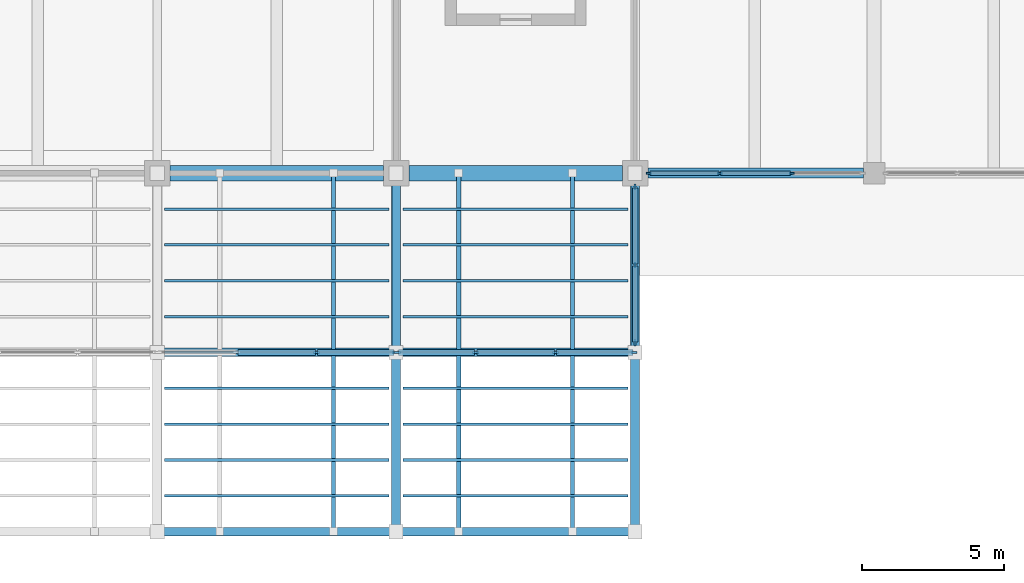
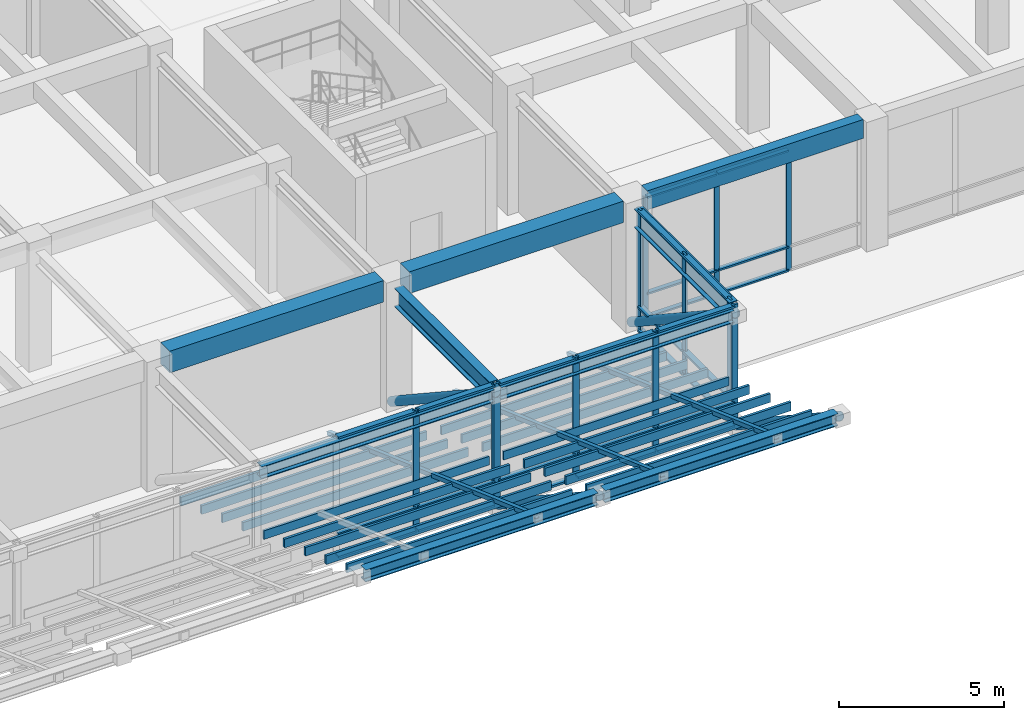
# One storey, part 13 of 52: 64 members, 9 beams, 4 elements without a shape of their own.
"""IFC4 building model written with IfcOpenShell, lengths in metres."""

from ifc_helpers import new_model, si_unit, direction, frame, origin, origin_2d, place, context, subcontext, project, spatial, rectangle, hollow_rectangle, hollow_circle, i_section, extrude, material, material_profile, profile_set, type_object, element, aggregate, save


model = new_model("IFC4")

# Units and contexts
model_context = context("Model", 3, precision=1e-05, world=origin(), true_north=direction((0.0, 1.0)))
body_context = subcontext(model_context, "Body", "Model", "MODEL_VIEW")
ifc_project = project(units=[si_unit("LENGTHUNIT", "METRE"), si_unit("AREAUNIT", "SQUARE_METRE"), si_unit("VOLUMEUNIT", "CUBIC_METRE"), si_unit("PLANEANGLEUNIT", "RADIAN"), si_unit("MASSUNIT", "GRAM", prefix="KILO")], contexts=[model_context])

# Site, building, storey
site_placement = place(None, origin())
site = spatial("IfcSite", under=ifc_project, at=site_placement, CompositionType="ELEMENT")
building_placement = place(site_placement, origin())
building = spatial("IfcBuilding", under=site, at=building_placement, Name="Kenerak Square Central Library", CompositionType="ELEMENT")
storey_placement = place(building_placement, frame((0.0, 0.0, 4.800048828125)))
storey = spatial("IfcBuildingStorey", under=building, at=storey_placement, Name="L01", CompositionType="ELEMENT", Elevation=4.800048828125)

# Members
ifc_material_1 = material(Name="Chengal hardwood timber SG1", Category="wood")
ifc_material_profile_1 = material_profile(ifc_material_1, rectangle(XDim=0.090087890625, YDim=0.320068359375, at=origin_2d()), Name="CHENGAL 90x320")
ifc_profile_set_1 = profile_set([ifc_material_profile_1], Name="Chengal hardwood timber SG1")
member_type_1 = type_object("IfcMemberType", Name="Chengal Timber Louvre Blade CL-01 90x320", PredefinedType="USERDEFINED", material=ifc_profile_set_1)
for number, where, z_axis, x_axis, name in (
    (1, (100.64990234375, 15.5400390625, -0.0849609375), (1.0, 0.0, 0.0), (0.0, 1.0, 0.0), "Chengal Soffit Louvre Blade CL-01 0058"),
    (2, (100.64990234375, 14.280029296875, 0.369873046875), (1.0, 0.0, 0.0), (0.0, 1.0, 0.0), "Chengal Soffit Louvre Blade CL-01 0059"),
    (3, (100.64990234375, 13.02001953125, 0.824951171875), (1.0, 0.0, 0.0), (0.0, 1.0, 0.0), "Chengal Soffit Louvre Blade CL-01 0060"),
    (4, (100.64990234375, 11.760009765625, 1.280029296875), (1.0, 0.0, 0.0), (0.0, 1.0, 0.0), "Chengal Soffit Louvre Blade CL-01 0061"),
    (5, (100.64990234375, 10.5, 1.73486328125), (1.0, 0.0, 0.0), (0.0, 1.0, 0.0), "Chengal Soffit Louvre Blade CL-01 0062"),
    (6, (100.64990234375, 9.239990234375, 2.18994140625), (1.0, 0.0, 0.0), (0.0, 1.0, 0.0), "Chengal Soffit Louvre Blade CL-01 0063"),
    (7, (100.64990234375, 7.97998046875, 2.64501953125), (1.0, 0.0, 0.0), (0.0, 1.0, 0.0), "Chengal Soffit Louvre Blade CL-01 0064"),
    (8, (100.64990234375, 6.719970703125, 3.099853515625), (1.0, 0.0, 0.0), (0.0, 1.0, 0.0), "Chengal Soffit Louvre Blade CL-01 0065"),
    (9, (100.64990234375, 5.4599609375, 3.554931640625), (1.0, 0.0, 0.0), (0.0, 1.0, 0.0), "Chengal Soffit Louvre Blade CL-01 0066"),
):
    element("IfcMember", number, at=place(storey_placement, frame(where, z_axis=z_axis, x_axis=x_axis)), inside=storey, type_object=member_type_1, Name=name, ObjectType="LOUVRE BLADE", PredefinedType="USERDEFINED", context=body_context, shape_type="SweptSolid", body=[
        extrude(rectangle(XDim=0.090087890625, YDim=0.320068359375, at=origin_2d()), origin(), (0.0, 0.0, 1.0), 7.900146484375),
    ])
for number, where, z_axis, x_axis, name in (
    (10, (109.050048828125, 15.5400390625, -0.0849609375), (1.0, 0.0, 0.0), (0.0, 1.0, 0.0), "Chengal Soffit Louvre Blade CL-01 0069"),
    (11, (109.050048828125, 14.280029296875, 0.369873046875), (1.0, 0.0, 0.0), (0.0, 1.0, 0.0), "Chengal Soffit Louvre Blade CL-01 0070"),
    (12, (109.050048828125, 13.02001953125, 0.824951171875), (1.0, 0.0, 0.0), (0.0, 1.0, 0.0), "Chengal Soffit Louvre Blade CL-01 0071"),
    (13, (109.050048828125, 11.760009765625, 1.280029296875), (1.0, 0.0, 0.0), (0.0, 1.0, 0.0), "Chengal Soffit Louvre Blade CL-01 0072"),
    (14, (109.050048828125, 10.5, 1.73486328125), (1.0, 0.0, 0.0), (0.0, 1.0, 0.0), "Chengal Soffit Louvre Blade CL-01 0073"),
    (15, (109.050048828125, 9.239990234375, 2.18994140625), (1.0, 0.0, 0.0), (0.0, 1.0, 0.0), "Chengal Soffit Louvre Blade CL-01 0074"),
    (16, (109.050048828125, 7.97998046875, 2.64501953125), (1.0, 0.0, 0.0), (0.0, 1.0, 0.0), "Chengal Soffit Louvre Blade CL-01 0075"),
    (17, (109.050048828125, 6.719970703125, 3.099853515625), (1.0, 0.0, 0.0), (0.0, 1.0, 0.0), "Chengal Soffit Louvre Blade CL-01 0076"),
    (18, (109.050048828125, 5.4599609375, 3.554931640625), (1.0, 0.0, 0.0), (0.0, 1.0, 0.0), "Chengal Soffit Louvre Blade CL-01 0077"),
):
    element("IfcMember", number, at=place(storey_placement, frame(where, z_axis=z_axis, x_axis=x_axis)), inside=storey, type_object=member_type_1, Name=name, ObjectType="LOUVRE BLADE", PredefinedType="USERDEFINED", context=body_context, shape_type="SweptSolid", body=[
        extrude(rectangle(XDim=0.090087890625, YDim=0.320068359375, at=origin_2d()), origin(), (0.0, 0.0, 1.0), 7.89990234375),
    ])

# Curtain wall, members
ifc_material_2 = material(Name="Anodised aluminium and solar-control low-E glazing", Category="aluminium")
curtain_wall_type_1 = type_object("IfcCurtainWallType", Name="Curtain Wall CW-V6-75x45 7575x4500", PredefinedType="USERDEFINED", material=ifc_material_2)
curtain_wall_1_placement = place(storey_placement, origin())
curtain_wall_1 = element("IfcCurtainWall", 19, at=curtain_wall_1_placement, inside=storey, type_object=curtain_wall_type_1, Name="Curtain Wall CW-V6-75x45 L01 0046", ObjectType="CURTAIN WALL", PredefinedType="USERDEFINED")
ifc_material_3 = material(Name="Anodised aluminium 6063-T6", Category="aluminium")
ifc_material_profile_2 = material_profile(ifc_material_3, rectangle(XDim=0.06494140625, YDim=0.179931640625, at=origin_2d()), Name="AL MULLION 65x180")
ifc_profile_set_2 = profile_set([ifc_material_profile_2], Name="Anodised aluminium 6063-T6")
member_type_2 = type_object("IfcMemberType", Name="Curtain Mullion CM-01 65x180", PredefinedType="MULLION", material=ifc_profile_set_2)
member_1_placement = place(storey_placement, frame((122.699951171875, 16.800048828125, 0.0), z_axis=(0.0, 0.0, 1.0), x_axis=(0.0, -1.0, 0.0)))
member_1 = element("IfcMember", 20, at=member_1_placement, type_object=member_type_2, Name="CW-V6-75x45 Mullion 2", PredefinedType="MULLION", context=body_context, shape_type="SweptSolid", body=[
    extrude(rectangle(XDim=0.06494140625, YDim=0.179931640625, at=origin_2d()), origin(), (0.0, 0.0, 1.0), 4.5),
])
member_2_placement = place(storey_placement, frame((120.175048828125, 16.800048828125, 0.0), z_axis=(0.0, 0.0, 1.0), x_axis=(0.0, -1.0, 0.0)))
member_2 = element("IfcMember", 21, at=member_2_placement, type_object=member_type_2, Name="CW-V6-75x45 Mullion 3", PredefinedType="MULLION", context=body_context, shape_type="SweptSolid", body=[
    extrude(rectangle(XDim=0.06494140625, YDim=0.179931640625, at=origin_2d()), origin(), (0.0, 0.0, 1.0), 4.5),
])
member_3_placement = place(storey_placement, frame((117.6826171875, 16.800048828125, 0.0), z_axis=(0.0, 0.0, 1.0), x_axis=(0.0, -1.0, 0.0)))
member_3 = element("IfcMember", 22, at=member_3_placement, type_object=member_type_2, Name="CW-V6-75x45 Mullion 4", PredefinedType="MULLION", context=body_context, shape_type="SweptSolid", body=[
    extrude(rectangle(XDim=0.06494140625, YDim=0.179931640625, at=origin_2d()), origin(), (0.0, 0.0, 1.0), 4.5),
])

curtain_wall_type_2 = type_object("IfcCurtainWallType", Name="Curtain Wall CW-V1-55x45 5550x4500", PredefinedType="USERDEFINED", material=ifc_material_2)
curtain_wall_2_placement = place(storey_placement, origin())
curtain_wall_2 = element("IfcCurtainWall", 23, at=curtain_wall_2_placement, inside=storey, type_object=curtain_wall_type_2, Name="Curtain Wall CW-V1-55x45 L01 0047", ObjectType="CURTAIN WALL", PredefinedType="USERDEFINED")
ifc_material_profile_3 = material_profile(ifc_material_3, rectangle(XDim=0.074951171875, YDim=0.219970703125, at=origin_2d()), Name="AL MULLION 75x220")
ifc_profile_set_3 = profile_set([ifc_material_profile_3], Name="Anodised aluminium 6063-T6")
member_type_3 = type_object("IfcMemberType", Name="Curtain Mullion CM-02 75x220", PredefinedType="MULLION", material=ifc_profile_set_3)
member_4_placement = place(storey_placement, frame((117.199951171875, 16.3125, 0.0), z_axis=(0.0, 0.0, 1.0), x_axis=(1.0, 0.0, 0.0)))
member_4 = element("IfcMember", 24, at=member_4_placement, type_object=member_type_3, Name="CW-V1-55x45 Mullion 1", PredefinedType="MULLION", context=body_context, shape_type="SweptSolid", body=[
    extrude(rectangle(XDim=0.074951171875, YDim=0.219970703125, at=origin_2d()), origin(), (0.0, 0.0, 1.0), 4.5),
])
member_5_placement = place(storey_placement, frame((117.199951171875, 13.574951171875, 0.0), z_axis=(0.0, 0.0, 1.0), x_axis=(1.0, 0.0, 0.0)))
member_5 = element("IfcMember", 25, at=member_5_placement, type_object=member_type_3, Name="CW-V1-55x45 Mullion 2", PredefinedType="MULLION", context=body_context, shape_type="SweptSolid", body=[
    extrude(rectangle(XDim=0.074951171875, YDim=0.219970703125, at=origin_2d()), origin(), (0.0, 0.0, 1.0), 4.5),
])
member_6_placement = place(storey_placement, frame((117.199951171875, 10.83740234375, 0.0), z_axis=(0.0, 0.0, 1.0), x_axis=(1.0, 0.0, 0.0)))
member_6 = element("IfcMember", 26, at=member_6_placement, type_object=member_type_3, Name="CW-V1-55x45 Mullion 3", PredefinedType="MULLION", context=body_context, shape_type="SweptSolid", body=[
    extrude(rectangle(XDim=0.074951171875, YDim=0.219970703125, at=origin_2d()), origin(), (0.0, 0.0, 1.0), 4.5),
])

curtain_wall_type_3 = type_object("IfcCurtainWallType", Name="Curtain Wall CW-V1-84x45 8400x4500", PredefinedType="USERDEFINED", material=ifc_material_2)
curtain_wall_3_placement = place(storey_placement, origin())
curtain_wall_3 = element("IfcCurtainWall", 27, at=curtain_wall_3_placement, inside=storey, type_object=curtain_wall_type_3, Name="Curtain Wall CW-V1-84x45 L01 0048", ObjectType="CURTAIN WALL", PredefinedType="USERDEFINED")
member_7_placement = place(storey_placement, frame((117.16259765625, 10.5, 0.0), z_axis=(0.0, 0.0, 1.0), x_axis=(0.0, -1.0, 0.0)))
member_7 = element("IfcMember", 28, at=member_7_placement, type_object=member_type_3, Name="CW-V1-84x45 Mullion 1", PredefinedType="MULLION", context=body_context, shape_type="SweptSolid", body=[
    extrude(rectangle(XDim=0.074951171875, YDim=0.219970703125, at=origin_2d()), origin(), (0.0, 0.0, 1.0), 4.5),
])
member_8_placement = place(storey_placement, frame((114.39990234375, 10.5, 0.0), z_axis=(0.0, 0.0, 1.0), x_axis=(0.0, -1.0, 0.0)))
member_8 = element("IfcMember", 29, at=member_8_placement, type_object=member_type_3, Name="CW-V1-84x45 Mullion 2", PredefinedType="MULLION", context=body_context, shape_type="SweptSolid", body=[
    extrude(rectangle(XDim=0.074951171875, YDim=0.219970703125, at=origin_2d()), origin(), (0.0, 0.0, 1.0), 4.5),
])
member_9_placement = place(storey_placement, frame((111.60009765625, 10.5, 0.0), z_axis=(0.0, 0.0, 1.0), x_axis=(0.0, -1.0, 0.0)))
member_9 = element("IfcMember", 30, at=member_9_placement, type_object=member_type_3, Name="CW-V1-84x45 Mullion 3", PredefinedType="MULLION", context=body_context, shape_type="SweptSolid", body=[
    extrude(rectangle(XDim=0.074951171875, YDim=0.219970703125, at=origin_2d()), origin(), (0.0, 0.0, 1.0), 4.5),
])
member_10_placement = place(storey_placement, frame((108.83740234375, 10.5, 0.0), z_axis=(0.0, 0.0, 1.0), x_axis=(0.0, -1.0, 0.0)))
member_10 = element("IfcMember", 31, at=member_10_placement, type_object=member_type_3, Name="CW-V1-84x45 Mullion 4", PredefinedType="MULLION", context=body_context, shape_type="SweptSolid", body=[
    extrude(rectangle(XDim=0.074951171875, YDim=0.219970703125, at=origin_2d()), origin(), (0.0, 0.0, 1.0), 4.5),
])

curtain_wall_4_placement = place(storey_placement, origin())
curtain_wall_4 = element("IfcCurtainWall", 32, at=curtain_wall_4_placement, inside=storey, type_object=curtain_wall_type_3, Name="Curtain Wall CW-V1-84x45 L01 0049", ObjectType="CURTAIN WALL", PredefinedType="USERDEFINED")
member_11_placement = place(storey_placement, frame((108.762451171875, 10.5, 0.0), z_axis=(0.0, 0.0, 1.0), x_axis=(0.0, -1.0, 0.0)))
member_11 = element("IfcMember", 33, at=member_11_placement, type_object=member_type_3, Name="CW-V1-84x45 Mullion 1", PredefinedType="MULLION", context=body_context, shape_type="SweptSolid", body=[
    extrude(rectangle(XDim=0.074951171875, YDim=0.219970703125, at=origin_2d()), origin(), (0.0, 0.0, 1.0), 4.5),
])
member_12_placement = place(storey_placement, frame((106.0, 10.5, 0.0), z_axis=(0.0, 0.0, 1.0), x_axis=(0.0, -1.0, 0.0)))
member_12 = element("IfcMember", 34, at=member_12_placement, type_object=member_type_3, Name="CW-V1-84x45 Mullion 2", PredefinedType="MULLION", context=body_context, shape_type="SweptSolid", body=[
    extrude(rectangle(XDim=0.074951171875, YDim=0.219970703125, at=origin_2d()), origin(), (0.0, 0.0, 1.0), 4.5),
])

# Member
ifc_material_profile_4 = material_profile(ifc_material_3, rectangle(XDim=0.159912109375, YDim=0.06494140625, at=origin_2d()), Name="AL TRANSOM 160x65")
ifc_profile_set_4 = profile_set([ifc_material_profile_4], Name="Anodised aluminium 6063-T6")
member_type_4 = type_object("IfcMemberType", Name="Curtain Transom CT-11 160x65", PredefinedType="USERDEFINED", material=ifc_profile_set_4)
member_13_placement = place(storey_placement, frame((122.66748046875, 16.800048828125, 0.032470703125), z_axis=(-1.0, 0.0, 0.0), x_axis=(0.0, -1.0, 0.0)))
member_13 = element("IfcMember", 35, at=member_13_placement, type_object=member_type_4, Name="CW-V6-75x45 Transom 2.1", ObjectType="TRANSOM", PredefinedType="USERDEFINED", context=body_context, shape_type="SweptSolid", body=[
    extrude(rectangle(XDim=0.159912109375, YDim=0.06494140625, at=origin_2d()), origin(), (0.0, 0.0, 1.0), 2.4599609375),
])

member_14_placement = place(storey_placement, frame((122.66748046875, 16.800048828125, 0.89990234375), z_axis=(-1.0, 0.0, 0.0), x_axis=(0.0, -1.0, 0.0)))
member_14 = element("IfcMember", 36, at=member_14_placement, type_object=member_type_4, Name="CW-V6-75x45 Transom 2.2", ObjectType="TRANSOM", PredefinedType="USERDEFINED", context=body_context, shape_type="SweptSolid", body=[
    extrude(rectangle(XDim=0.159912109375, YDim=0.06494140625, at=origin_2d()), origin(), (0.0, 0.0, 1.0), 2.4599609375),
])

member_15_placement = place(storey_placement, frame((122.66748046875, 16.800048828125, 4.467529296875), z_axis=(-1.0, 0.0, 0.0), x_axis=(0.0, -1.0, 0.0)))
member_15 = element("IfcMember", 37, at=member_15_placement, type_object=member_type_4, Name="CW-V6-75x45 Transom 2.3", ObjectType="TRANSOM", PredefinedType="USERDEFINED", context=body_context, shape_type="SweptSolid", body=[
    extrude(rectangle(XDim=0.159912109375, YDim=0.06494140625, at=origin_2d()), origin(), (0.0, 0.0, 1.0), 2.4599609375),
])

member_16_placement = place(storey_placement, frame((120.142578125, 16.800048828125, 0.032470703125), z_axis=(-1.0, 0.0, 0.0), x_axis=(0.0, -1.0, 0.0)))
member_16 = element("IfcMember", 38, at=member_16_placement, type_object=member_type_4, Name="CW-V6-75x45 Transom 3.1", ObjectType="TRANSOM", PredefinedType="USERDEFINED", context=body_context, shape_type="SweptSolid", body=[
    extrude(rectangle(XDim=0.159912109375, YDim=0.06494140625, at=origin_2d()), origin(), (0.0, 0.0, 1.0), 2.427490234375),
])

member_17_placement = place(storey_placement, frame((120.142578125, 16.800048828125, 0.89990234375), z_axis=(-1.0, 0.0, 0.0), x_axis=(0.0, -1.0, 0.0)))
member_17 = element("IfcMember", 39, at=member_17_placement, type_object=member_type_4, Name="CW-V6-75x45 Transom 3.2", ObjectType="TRANSOM", PredefinedType="USERDEFINED", context=body_context, shape_type="SweptSolid", body=[
    extrude(rectangle(XDim=0.159912109375, YDim=0.06494140625, at=origin_2d()), origin(), (0.0, 0.0, 1.0), 2.427490234375),
])

member_18_placement = place(storey_placement, frame((120.142578125, 16.800048828125, 4.467529296875), z_axis=(-1.0, 0.0, 0.0), x_axis=(0.0, -1.0, 0.0)))
member_18 = element("IfcMember", 40, at=member_18_placement, type_object=member_type_4, Name="CW-V6-75x45 Transom 3.3", ObjectType="TRANSOM", PredefinedType="USERDEFINED", context=body_context, shape_type="SweptSolid", body=[
    extrude(rectangle(XDim=0.159912109375, YDim=0.06494140625, at=origin_2d()), origin(), (0.0, 0.0, 1.0), 2.427490234375),
])

aggregate(curtain_wall_1, [member_1, member_2, member_3, member_13, member_14, member_15, member_16, member_17, member_18])

ifc_material_profile_5 = material_profile(ifc_material_3, rectangle(XDim=0.199951171875, YDim=0.074951171875, at=origin_2d()), Name="AL TRANSOM 200x75")
ifc_profile_set_5 = profile_set([ifc_material_profile_5], Name="Anodised aluminium 6063-T6")
member_type_5 = type_object("IfcMemberType", Name="Curtain Transom CT-12 200x75", PredefinedType="USERDEFINED", material=ifc_profile_set_5)
member_19_placement = place(storey_placement, frame((117.199951171875, 16.27490234375, 0.037353515625), z_axis=(0.0, -1.0, 0.0), x_axis=(1.0, 0.0, 0.0)))
member_19 = element("IfcMember", 41, at=member_19_placement, type_object=member_type_5, Name="CW-V1-55x45 Transom 1.1", ObjectType="TRANSOM", PredefinedType="USERDEFINED", context=body_context, shape_type="SweptSolid", body=[
    extrude(rectangle(XDim=0.199951171875, YDim=0.074951171875, at=origin_2d()), origin(), (0.0, 0.0, 1.0), 2.662353515625),
])

member_20_placement = place(storey_placement, frame((117.199951171875, 16.27490234375, 0.89990234375), z_axis=(0.0, -1.0, 0.0), x_axis=(1.0, 0.0, 0.0)))
member_20 = element("IfcMember", 42, at=member_20_placement, type_object=member_type_5, Name="CW-V1-55x45 Transom 1.2", ObjectType="TRANSOM", PredefinedType="USERDEFINED", context=body_context, shape_type="SweptSolid", body=[
    extrude(rectangle(XDim=0.199951171875, YDim=0.074951171875, at=origin_2d()), origin(), (0.0, 0.0, 1.0), 2.662353515625),
])

member_21_placement = place(storey_placement, frame((117.199951171875, 16.27490234375, 4.46240234375), z_axis=(0.0, -1.0, 0.0), x_axis=(1.0, 0.0, 0.0)))
member_21 = element("IfcMember", 43, at=member_21_placement, type_object=member_type_5, Name="CW-V1-55x45 Transom 1.3", ObjectType="TRANSOM", PredefinedType="USERDEFINED", context=body_context, shape_type="SweptSolid", body=[
    extrude(rectangle(XDim=0.199951171875, YDim=0.074951171875, at=origin_2d()), origin(), (0.0, 0.0, 1.0), 2.662353515625),
])

member_22_placement = place(storey_placement, frame((117.199951171875, 13.53759765625, 0.037353515625), z_axis=(0.0, -1.0, 0.0), x_axis=(1.0, 0.0, 0.0)))
member_22 = element("IfcMember", 44, at=member_22_placement, type_object=member_type_5, Name="CW-V1-55x45 Transom 2.1", ObjectType="TRANSOM", PredefinedType="USERDEFINED", context=body_context, shape_type="SweptSolid", body=[
    extrude(rectangle(XDim=0.199951171875, YDim=0.074951171875, at=origin_2d()), origin(), (0.0, 0.0, 1.0), 2.66259765625),
])

member_23_placement = place(storey_placement, frame((117.199951171875, 13.53759765625, 0.89990234375), z_axis=(0.0, -1.0, 0.0), x_axis=(1.0, 0.0, 0.0)))
member_23 = element("IfcMember", 45, at=member_23_placement, type_object=member_type_5, Name="CW-V1-55x45 Transom 2.2", ObjectType="TRANSOM", PredefinedType="USERDEFINED", context=body_context, shape_type="SweptSolid", body=[
    extrude(rectangle(XDim=0.199951171875, YDim=0.074951171875, at=origin_2d()), origin(), (0.0, 0.0, 1.0), 2.66259765625),
])

member_24_placement = place(storey_placement, frame((117.199951171875, 13.53759765625, 4.46240234375), z_axis=(0.0, -1.0, 0.0), x_axis=(1.0, 0.0, 0.0)))
member_24 = element("IfcMember", 46, at=member_24_placement, type_object=member_type_5, Name="CW-V1-55x45 Transom 2.3", ObjectType="TRANSOM", PredefinedType="USERDEFINED", context=body_context, shape_type="SweptSolid", body=[
    extrude(rectangle(XDim=0.199951171875, YDim=0.074951171875, at=origin_2d()), origin(), (0.0, 0.0, 1.0), 2.66259765625),
])

aggregate(curtain_wall_2, [member_4, member_5, member_6, member_19, member_20, member_21, member_22, member_23, member_24])

member_25_placement = place(storey_placement, frame((117.125, 10.5, 0.037353515625), z_axis=(-1.0, 0.0, 0.0), x_axis=(0.0, -1.0, 0.0)))
member_25 = element("IfcMember", 47, at=member_25_placement, type_object=member_type_5, Name="CW-V1-84x45 Transom 1.1", ObjectType="TRANSOM", PredefinedType="USERDEFINED", context=body_context, shape_type="SweptSolid", body=[
    extrude(rectangle(XDim=0.199951171875, YDim=0.074951171875, at=origin_2d()), origin(), (0.0, 0.0, 1.0), 2.6875),
])

member_26_placement = place(storey_placement, frame((117.125, 10.5, 0.89990234375), z_axis=(-1.0, 0.0, 0.0), x_axis=(0.0, -1.0, 0.0)))
member_26 = element("IfcMember", 48, at=member_26_placement, type_object=member_type_5, Name="CW-V1-84x45 Transom 1.2", ObjectType="TRANSOM", PredefinedType="USERDEFINED", context=body_context, shape_type="SweptSolid", body=[
    extrude(rectangle(XDim=0.199951171875, YDim=0.074951171875, at=origin_2d()), origin(), (0.0, 0.0, 1.0), 2.6875),
])

member_27_placement = place(storey_placement, frame((117.125, 10.5, 4.46240234375), z_axis=(-1.0, 0.0, 0.0), x_axis=(0.0, -1.0, 0.0)))
member_27 = element("IfcMember", 49, at=member_27_placement, type_object=member_type_5, Name="CW-V1-84x45 Transom 1.3", ObjectType="TRANSOM", PredefinedType="USERDEFINED", context=body_context, shape_type="SweptSolid", body=[
    extrude(rectangle(XDim=0.199951171875, YDim=0.074951171875, at=origin_2d()), origin(), (0.0, 0.0, 1.0), 2.6875),
])

member_28_placement = place(storey_placement, frame((114.362548828125, 10.5, 0.037353515625), z_axis=(-1.0, 0.0, 0.0), x_axis=(0.0, -1.0, 0.0)))
member_28 = element("IfcMember", 50, at=member_28_placement, type_object=member_type_5, Name="CW-V1-84x45 Transom 2.1", ObjectType="TRANSOM", PredefinedType="USERDEFINED", context=body_context, shape_type="SweptSolid", body=[
    extrude(rectangle(XDim=0.199951171875, YDim=0.074951171875, at=origin_2d()), origin(), (0.0, 0.0, 1.0), 2.72509765625),
])

member_29_placement = place(storey_placement, frame((114.362548828125, 10.5, 0.89990234375), z_axis=(-1.0, 0.0, 0.0), x_axis=(0.0, -1.0, 0.0)))
member_29 = element("IfcMember", 51, at=member_29_placement, type_object=member_type_5, Name="CW-V1-84x45 Transom 2.2", ObjectType="TRANSOM", PredefinedType="USERDEFINED", context=body_context, shape_type="SweptSolid", body=[
    extrude(rectangle(XDim=0.199951171875, YDim=0.074951171875, at=origin_2d()), origin(), (0.0, 0.0, 1.0), 2.72509765625),
])

member_30_placement = place(storey_placement, frame((114.362548828125, 10.5, 4.46240234375), z_axis=(-1.0, 0.0, 0.0), x_axis=(0.0, -1.0, 0.0)))
member_30 = element("IfcMember", 52, at=member_30_placement, type_object=member_type_5, Name="CW-V1-84x45 Transom 2.3", ObjectType="TRANSOM", PredefinedType="USERDEFINED", context=body_context, shape_type="SweptSolid", body=[
    extrude(rectangle(XDim=0.199951171875, YDim=0.074951171875, at=origin_2d()), origin(), (0.0, 0.0, 1.0), 2.72509765625),
])

member_31_placement = place(storey_placement, frame((111.5625, 10.5, 0.037353515625), z_axis=(-1.0, 0.0, 0.0), x_axis=(0.0, -1.0, 0.0)))
member_31 = element("IfcMember", 53, at=member_31_placement, type_object=member_type_5, Name="CW-V1-84x45 Transom 3.1", ObjectType="TRANSOM", PredefinedType="USERDEFINED", context=body_context, shape_type="SweptSolid", body=[
    extrude(rectangle(XDim=0.199951171875, YDim=0.074951171875, at=origin_2d()), origin(), (0.0, 0.0, 1.0), 2.6875),
])

member_32_placement = place(storey_placement, frame((111.5625, 10.5, 0.89990234375), z_axis=(-1.0, 0.0, 0.0), x_axis=(0.0, -1.0, 0.0)))
member_32 = element("IfcMember", 54, at=member_32_placement, type_object=member_type_5, Name="CW-V1-84x45 Transom 3.2", ObjectType="TRANSOM", PredefinedType="USERDEFINED", context=body_context, shape_type="SweptSolid", body=[
    extrude(rectangle(XDim=0.199951171875, YDim=0.074951171875, at=origin_2d()), origin(), (0.0, 0.0, 1.0), 2.6875),
])

member_33_placement = place(storey_placement, frame((111.5625, 10.5, 4.46240234375), z_axis=(-1.0, 0.0, 0.0), x_axis=(0.0, -1.0, 0.0)))
member_33 = element("IfcMember", 55, at=member_33_placement, type_object=member_type_5, Name="CW-V1-84x45 Transom 3.3", ObjectType="TRANSOM", PredefinedType="USERDEFINED", context=body_context, shape_type="SweptSolid", body=[
    extrude(rectangle(XDim=0.199951171875, YDim=0.074951171875, at=origin_2d()), origin(), (0.0, 0.0, 1.0), 2.6875),
])

aggregate(curtain_wall_3, [member_7, member_8, member_9, member_10, member_25, member_26, member_27, member_28, member_29, member_30, member_31, member_32, member_33])

member_34_placement = place(storey_placement, frame((108.72509765625, 10.5, 0.037353515625), z_axis=(-1.0, 0.0, 0.0), x_axis=(0.0, -1.0, 0.0)))
member_34 = element("IfcMember", 56, at=member_34_placement, type_object=member_type_5, Name="CW-V1-84x45 Transom 1.1", ObjectType="TRANSOM", PredefinedType="USERDEFINED", context=body_context, shape_type="SweptSolid", body=[
    extrude(rectangle(XDim=0.199951171875, YDim=0.074951171875, at=origin_2d()), origin(), (0.0, 0.0, 1.0), 2.6875),
])

member_35_placement = place(storey_placement, frame((108.72509765625, 10.5, 0.89990234375), z_axis=(-1.0, 0.0, 0.0), x_axis=(0.0, -1.0, 0.0)))
member_35 = element("IfcMember", 57, at=member_35_placement, type_object=member_type_5, Name="CW-V1-84x45 Transom 1.2", ObjectType="TRANSOM", PredefinedType="USERDEFINED", context=body_context, shape_type="SweptSolid", body=[
    extrude(rectangle(XDim=0.199951171875, YDim=0.074951171875, at=origin_2d()), origin(), (0.0, 0.0, 1.0), 2.6875),
])

member_36_placement = place(storey_placement, frame((108.72509765625, 10.5, 4.46240234375), z_axis=(-1.0, 0.0, 0.0), x_axis=(0.0, -1.0, 0.0)))
member_36 = element("IfcMember", 58, at=member_36_placement, type_object=member_type_5, Name="CW-V1-84x45 Transom 1.3", ObjectType="TRANSOM", PredefinedType="USERDEFINED", context=body_context, shape_type="SweptSolid", body=[
    extrude(rectangle(XDim=0.199951171875, YDim=0.074951171875, at=origin_2d()), origin(), (0.0, 0.0, 1.0), 2.6875),
])

member_37_placement = place(storey_placement, frame((105.96240234375, 10.5, 0.037353515625), z_axis=(-1.0, 0.0, 0.0), x_axis=(0.0, -1.0, 0.0)))
member_37 = element("IfcMember", 59, at=member_37_placement, type_object=member_type_5, Name="CW-V1-84x45 Transom 2.1", ObjectType="TRANSOM", PredefinedType="USERDEFINED", context=body_context, shape_type="SweptSolid", body=[
    extrude(rectangle(XDim=0.199951171875, YDim=0.074951171875, at=origin_2d()), origin(), (0.0, 0.0, 1.0), 2.724853515625),
])

member_38_placement = place(storey_placement, frame((105.96240234375, 10.5, 0.89990234375), z_axis=(-1.0, 0.0, 0.0), x_axis=(0.0, -1.0, 0.0)))
member_38 = element("IfcMember", 60, at=member_38_placement, type_object=member_type_5, Name="CW-V1-84x45 Transom 2.2", ObjectType="TRANSOM", PredefinedType="USERDEFINED", context=body_context, shape_type="SweptSolid", body=[
    extrude(rectangle(XDim=0.199951171875, YDim=0.074951171875, at=origin_2d()), origin(), (0.0, 0.0, 1.0), 2.724853515625),
])

member_39_placement = place(storey_placement, frame((105.96240234375, 10.5, 4.46240234375), z_axis=(-1.0, 0.0, 0.0), x_axis=(0.0, -1.0, 0.0)))
member_39 = element("IfcMember", 61, at=member_39_placement, type_object=member_type_5, Name="CW-V1-84x45 Transom 2.3", ObjectType="TRANSOM", PredefinedType="USERDEFINED", context=body_context, shape_type="SweptSolid", body=[
    extrude(rectangle(XDim=0.199951171875, YDim=0.074951171875, at=origin_2d()), origin(), (0.0, 0.0, 1.0), 2.724853515625),
])

aggregate(curtain_wall_4, [member_11, member_12, member_34, member_35, member_36, member_37, member_38, member_39])

# Beams
ifc_material_4 = material(Name="Concrete C40/50", Category="concrete")
ifc_material_profile_6 = material_profile(ifc_material_4, rectangle(XDim=0.35009765625, YDim=0.699951171875, at=origin_2d()), Name="RC 350x700")
ifc_profile_set_6 = profile_set([ifc_material_profile_6], Name="Concrete C40/50")
beam_type_1 = type_object("IfcBeamType", Name="Expressed Spandrel Beam SP-01 RC 350x700 C40/50", PredefinedType="SPANDREL", material=ifc_profile_set_6)
beam_1_placement = place(storey_placement, frame((117.64990234375, 16.800048828125, 4.449951171875), z_axis=(1.0, 0.0, 0.0), x_axis=(0.0, 1.0, 0.0)))
element("IfcBeam", 62, at=beam_1_placement, inside=storey, type_object=beam_type_1, Name="Beam SP-01 L01 0868", PredefinedType="SPANDREL", context=body_context, shape_type="SweptSolid", body=[
    extrude(rectangle(XDim=0.35009765625, YDim=0.699951171875, at=origin_2d()), origin(), (0.0, 0.0, 1.0), 7.5751953125),
])
ifc_material_5 = material(Name="Steel S355", Category="steel")
ifc_material_profile_7 = material_profile(ifc_material_5, i_section(OverallWidth=0.300048828125, OverallDepth=0.449951171875, WebThickness=0.013916015625, FlangeThickness=0.02587890625, FilletRadius=0.027099609375, at=origin_2d()), Name="HEB 450")
ifc_profile_set_7 = profile_set([ifc_material_profile_7], Name="Steel S355")
beam_type_2 = type_object("IfcBeamType", Name="Overhang Cross Girder SB-04 HEB 450 S355", PredefinedType="BEAM", material=ifc_profile_set_7)
beam_2_placement = place(storey_placement, frame((100.52001953125, 4.199951171875, 4.14990234375), z_axis=(1.0, 0.0, 0.0), x_axis=(0.0, 1.0, 0.0)))
element("IfcBeam", 63, at=beam_2_placement, inside=storey, type_object=beam_type_2, Name="Overhang Cross Girder SB-04 L01 1710", PredefinedType="BEAM", context=body_context, shape_type="SweptSolid", body=[
    extrude(i_section(OverallWidth=0.300048828125, OverallDepth=0.449951171875, WebThickness=0.013916015625, FlangeThickness=0.02587890625, FilletRadius=0.027099609375, at=origin_2d()), origin(), (0.0, 0.0, 1.0), 8.159912109375),
])
beam_3_placement = place(storey_placement, frame((108.919921875, 4.199951171875, 4.14990234375), z_axis=(1.0, 0.0, 0.0), x_axis=(0.0, 1.0, 0.0)))
element("IfcBeam", 64, at=beam_3_placement, inside=storey, type_object=beam_type_2, Name="Overhang Cross Girder SB-04 L01 1711", PredefinedType="BEAM", context=body_context, shape_type="SweptSolid", body=[
    extrude(i_section(OverallWidth=0.300048828125, OverallDepth=0.449951171875, WebThickness=0.013916015625, FlangeThickness=0.02587890625, FilletRadius=0.027099609375, at=origin_2d()), origin(), (0.0, 0.0, 1.0), 8.16015625),
])
beam_4_placement = place(storey_placement, frame((100.52001953125, 10.5, 4.14990234375), z_axis=(1.0, 0.0, 0.0), x_axis=(0.0, 1.0, 0.0)))
element("IfcBeam", 65, at=beam_4_placement, inside=storey, type_object=beam_type_2, Name="Overhang Cross Girder SB-04 L01 1717", PredefinedType="BEAM", context=body_context, shape_type="SweptSolid", body=[
    extrude(i_section(OverallWidth=0.300048828125, OverallDepth=0.449951171875, WebThickness=0.013916015625, FlangeThickness=0.02587890625, FilletRadius=0.027099609375, at=origin_2d()), origin(), (0.0, 0.0, 1.0), 8.159912109375),
])
beam_5_placement = place(storey_placement, frame((108.919921875, 10.5, 4.14990234375), z_axis=(1.0, 0.0, 0.0), x_axis=(0.0, 1.0, 0.0)))
element("IfcBeam", 66, at=beam_5_placement, inside=storey, type_object=beam_type_2, Name="Overhang Cross Girder SB-04 L01 1718", PredefinedType="BEAM", context=body_context, shape_type="SweptSolid", body=[
    extrude(i_section(OverallWidth=0.300048828125, OverallDepth=0.449951171875, WebThickness=0.013916015625, FlangeThickness=0.02587890625, FilletRadius=0.027099609375, at=origin_2d()), origin(), (0.0, 0.0, 1.0), 8.16015625),
])
ifc_material_profile_8 = material_profile(ifc_material_5, i_section(OverallWidth=0.300048828125, OverallDepth=0.699951171875, WebThickness=0.01708984375, FlangeThickness=0.031982421875, FilletRadius=0.027099609375, at=origin_2d()), Name="HEB 700")
ifc_profile_set_8 = profile_set([ifc_material_profile_8], Name="Steel S355")
beam_type_3 = type_object("IfcBeamType", Name="Overhang Truss Top Chord SB-01 HEB 700 S355", PredefinedType="BEAM", material=ifc_profile_set_8)
for number, where, z_axis, x_axis, name in (
    (67, (108.800048828125, 10.6201171875, 4.14990234375), (0.0, 1.0, 0.0), (-1.0, 0.0, 0.0), "Wall-Truss Chord 7 L01 100"),
    (68, (117.199951171875, 10.6201171875, 4.14990234375), (0.0, 1.0, 0.0), (-1.0, 0.0, 0.0), "Wall-Truss Chord 8 L01 116"),
):
    element("IfcBeam", number, at=place(storey_placement, frame(where, z_axis=z_axis, x_axis=x_axis)), inside=storey, type_object=beam_type_3, Name=name, PredefinedType="BEAM", context=body_context, shape_type="SweptSolid", body=[
        extrude(i_section(OverallWidth=0.300048828125, OverallDepth=0.699951171875, WebThickness=0.01708984375, FlangeThickness=0.031982421875, FilletRadius=0.027099609375, at=origin_2d()), origin(), (0.0, 0.0, 1.0), 5.77978515625),
    ])
ifc_material_profile_9 = material_profile(ifc_material_4, rectangle(XDim=0.550048828125, YDim=0.800048828125, at=origin_2d()), Name="RC 550x800")
ifc_profile_set_9 = profile_set([ifc_material_profile_9], Name="Concrete C40/50")
beam_type_4 = type_object("IfcBeamType", Name="Primary Reading Beam B-04 RC 550x800 C40/50", PredefinedType="BEAM", material=ifc_profile_set_9)
for number, where, z_axis, x_axis, name in (
    (69, (100.85009765625, 16.800048828125, 4.39990234375), (1.0, 0.0, 0.0), (0.0, 1.0, 0.0), "Beam B-04 L01 0866"),
    (70, (109.25, 16.800048828125, 4.39990234375), (1.0, 0.0, 0.0), (0.0, 1.0, 0.0), "Beam B-04 L01 0867"),
):
    element("IfcBeam", number, at=place(storey_placement, frame(where, z_axis=z_axis, x_axis=x_axis)), inside=storey, type_object=beam_type_4, Name=name, PredefinedType="BEAM", context=body_context, shape_type="SweptSolid", body=[
        extrude(rectangle(XDim=0.550048828125, YDim=0.800048828125, at=origin_2d()), origin(), (0.0, 0.0, 1.0), 7.5),
    ])

# Members
ifc_material_profile_10 = material_profile(ifc_material_5, hollow_circle(Radius=0.161865234375, WallThickness=0.012451171875, at=origin_2d()), Name="CHS 323.9x12.5")
ifc_profile_set_10 = profile_set([ifc_material_profile_10], Name="Steel S355")
member_type_6 = type_object("IfcMemberType", Name="Raking Overhang Strut RK-01 CHS 323.9x12.5 S355", PredefinedType="STRUT", material=ifc_profile_set_10)
for number, where, z_axis, x_axis, name in (
    (71, (108.800048828125, 16.800048828125, 0.0), (0.0, -0.835104509682, 0.55009131779), (1.0, 0.0, 0.0), "Raking Inner Strut RK-01 7"),
    (72, (108.800048828125, 10.5, 0.0), (0.0, -0.835104509682, 0.55009131779), (1.0, 0.0, 0.0), "Raking Tip Strut RK-01 7"),
    (73, (117.199951171875, 16.800048828125, 0.0), (0.0, -0.835104509682, 0.55009131779), (1.0, 0.0, 0.0), "Raking Inner Strut RK-01 8"),
    (74, (117.199951171875, 10.5, 0.0), (0.0, -0.835104509682, 0.55009131779), (1.0, 0.0, 0.0), "Raking Tip Strut RK-01 8"),
):
    element("IfcMember", number, at=place(storey_placement, frame(where, z_axis=z_axis, x_axis=x_axis)), inside=storey, type_object=member_type_6, Name=name, PredefinedType="STRUT", context=body_context, shape_type="SweptSolid", body=[
        extrude(hollow_circle(Radius=0.161865234375, WallThickness=0.012451171875, at=origin_2d()), origin(), (0.0, 0.0, 1.0), 7.5439453125),
    ])
ifc_material_profile_11 = material_profile(ifc_material_5, hollow_rectangle(XDim=0.14990234375, YDim=0.14990234375, WallThickness=0.008056640625, at=origin_2d()), Name="SHS 150x150x8.0")
ifc_profile_set_11 = profile_set([ifc_material_profile_11], Name="Steel S355")
member_type_7 = type_object("IfcMemberType", Name="Soffit Subframe Strut TM-05 SHS 150x150x8 S355", PredefinedType="STRUT", material=ifc_profile_set_11)
for number, where, z_axis, x_axis, name in (
    (75, (106.60009765625, 16.800048828125, -0.400146484375), (0.0, -0.940553576257, 0.33964535944), (1.0, 0.0, 0.0), "Soffit Subframe Strut TM-05 0057"),
    (76, (111.0, 16.800048828125, -0.400146484375), (0.0, -0.940553576257, 0.33964535944), (1.0, 0.0, 0.0), "Soffit Subframe Strut TM-05 0067"),
    (77, (115.0, 16.800048828125, -0.400146484375), (0.0, -0.940553576257, 0.33964535944), (1.0, 0.0, 0.0), "Soffit Subframe Strut TM-05 0068"),
):
    element("IfcMember", number, at=place(storey_placement, frame(where, z_axis=z_axis, x_axis=x_axis)), inside=storey, type_object=member_type_7, Name=name, PredefinedType="STRUT", context=body_context, shape_type="SweptSolid", body=[
        extrude(hollow_rectangle(XDim=0.14990234375, YDim=0.14990234375, WallThickness=0.008056640625, at=origin_2d()), origin(), (0.0, 0.0, 1.0), 13.396484375),
    ])

save(model, "model.ifc")
